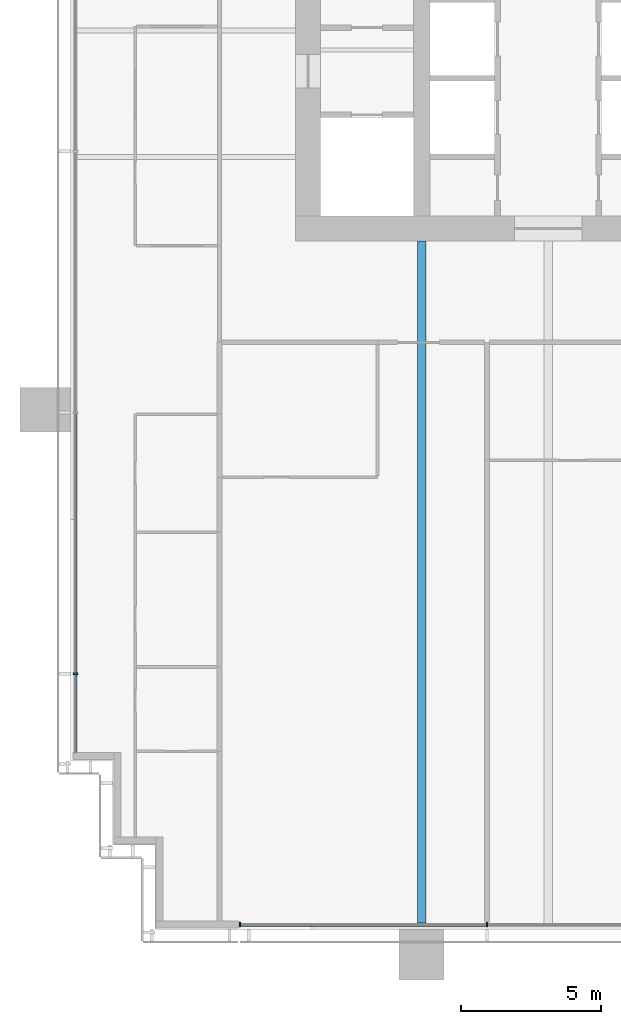
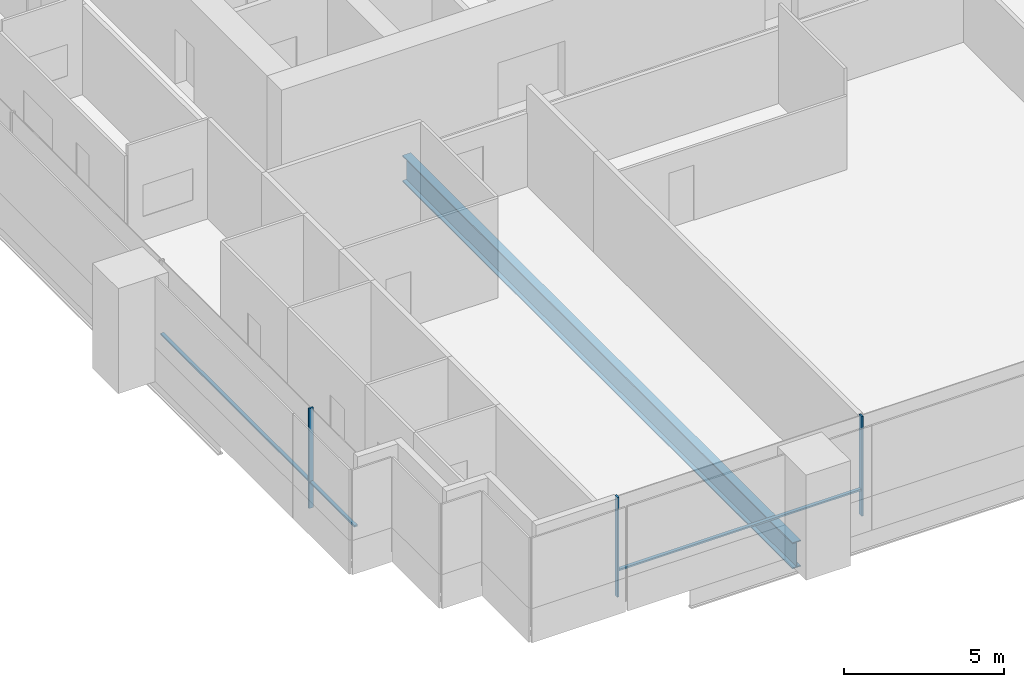
# One storey, part 2 of 19: 6 members, 1 beam, 2 elements without a shape of their own.
"""IFC4 building model written with IfcOpenShell, lengths in metres."""

from ifc_helpers import new_model, si_unit, direction, frame, origin, origin_2d, place, context, subcontext, project, spatial, rectangle, i_section, extrude, material, material_profile, profile_set, type_object, element, aggregate, save


model = new_model("IFC4")

# Units and contexts
model_context = context("Model", 3, precision=1e-05, world=origin(), true_north=direction((0.0, 1.0)))
body_context = subcontext(model_context, "Body", "Model", "MODEL_VIEW")
ifc_project = project(units=[si_unit("LENGTHUNIT", "METRE"), si_unit("AREAUNIT", "SQUARE_METRE"), si_unit("VOLUMEUNIT", "CUBIC_METRE"), si_unit("PLANEANGLEUNIT", "RADIAN"), si_unit("MASSUNIT", "GRAM", prefix="KILO")], contexts=[model_context])

# Site, building, storey
site_placement = place(None, origin())
site = spatial("IfcSite", under=ifc_project, at=site_placement, CompositionType="ELEMENT")
building_placement = place(site_placement, origin())
building = spatial("IfcBuilding", under=site, at=building_placement, Name="Rattan Terrace Tower", CompositionType="ELEMENT")
storey_placement = place(building_placement, frame((0.0, 0.0, 99.699951171875)))
storey = spatial("IfcBuildingStorey", under=building, at=storey_placement, Name="L22", CompositionType="ELEMENT", Elevation=99.699951171875)

# Curtain wall, member
ifc_material_1 = material(Name="Aluminium and glass", Category="aluminium")
curtain_wall_type = type_object("IfcCurtainWallType", Name="Facade Unitised Curtain Wall", PredefinedType="NOTDEFINED", material=ifc_material_1)
curtain_wall_1_placement = place(storey_placement, origin())
curtain_wall_1 = element("IfcCurtainWall", 1, at=curtain_wall_1_placement, inside=storey, type_object=curtain_wall_type, Name="Curtain wall L22-3", PredefinedType="NOTDEFINED")
ifc_material_2 = material(Name="Aluminium", Category="aluminium")
ifc_material_profile_1 = material_profile(ifc_material_2, rectangle(XDim=0.06005859375, YDim=0.159912109375, at=origin_2d()), Name="Aluminium 60x160")
ifc_profile_set_1 = profile_set([ifc_material_profile_1], Name="Aluminium")
member_type_1 = type_object("IfcMemberType", Name="Facade CW Mullion 60x160", PredefinedType="MULLION", material=ifc_profile_set_1)
member_1_placement = place(storey_placement, frame((-25.830078125, -22.89990234375, 0.0), z_axis=(0.0, 0.0, 1.0), x_axis=(0.0, -1.0, 0.0)))
member_1 = element("IfcMember", 2, at=member_1_placement, type_object=member_type_1, Name="Mullion cwl-L22-003.4", PredefinedType="MULLION", context=body_context, shape_type="SweptSolid", body=[
    extrude(rectangle(XDim=0.06005859375, YDim=0.159912109375, at=origin_2d()), origin(), (0.0, 0.0, 1.0), 3.800048828125),
])

# Curtain wall, members
curtain_wall_2_placement = place(storey_placement, origin())
curtain_wall_2 = element("IfcCurtainWall", 3, at=curtain_wall_2_placement, inside=storey, type_object=curtain_wall_type, Name="Curtain wall L22-4", PredefinedType="NOTDEFINED")
member_2_placement = place(storey_placement, frame((-19.969970703125, -31.830078125, 0.0), z_axis=(0.0, 0.0, 1.0), x_axis=(1.0, 0.0, 0.0)))
member_2 = element("IfcMember", 4, at=member_2_placement, type_object=member_type_1, Name="Mullion cwl-L22-004.1", PredefinedType="MULLION", context=body_context, shape_type="SweptSolid", body=[
    extrude(rectangle(XDim=0.06005859375, YDim=0.159912109375, at=origin_2d()), origin(), (0.0, 0.0, 1.0), 3.800048828125),
])
member_3_placement = place(storey_placement, frame((-11.177001953125, -31.830078125, 0.0), z_axis=(0.0, 0.0, 1.0), x_axis=(1.0, 0.0, 0.0)))
member_3 = element("IfcMember", 5, at=member_3_placement, type_object=member_type_1, Name="Mullion cwl-L22-004.2", PredefinedType="MULLION", context=body_context, shape_type="SweptSolid", body=[
    extrude(rectangle(XDim=0.06005859375, YDim=0.159912109375, at=origin_2d()), origin(), (0.0, 0.0, 1.0), 3.800048828125),
])

# Member
ifc_material_3 = material(Name="Aluminium", Category="aluminium")
ifc_material_profile_2 = material_profile(ifc_material_3, rectangle(XDim=0.1201171875, YDim=0.06005859375, at=origin_2d()), Name="Aluminium 120x60")
ifc_profile_set_2 = profile_set([ifc_material_profile_2], Name="Aluminium")
member_type_2 = type_object("IfcMemberType", Name="Facade CW Transom 120x60", PredefinedType="USERDEFINED", material=ifc_profile_set_2)
member_4_placement = place(storey_placement, frame((-25.830078125, -13.6298828125, 1.0), z_axis=(0.0, -1.0, 0.0), x_axis=(1.0, 0.0, 0.0)))
member_4 = element("IfcMember", 6, at=member_4_placement, type_object=member_type_2, Name="Transom cwl-L22-003.3", ObjectType="TRANSOM", PredefinedType="USERDEFINED", context=body_context, shape_type="SweptSolid", body=[
    extrude(rectangle(XDim=0.1201171875, YDim=0.06005859375, at=origin_2d()), origin(), (0.0, 0.0, 1.0), 9.240234375),
])

member_5_placement = place(storey_placement, frame((-25.830078125, -22.929931640625, 1.0), z_axis=(0.0, -1.0, 0.0), x_axis=(1.0, 0.0, 0.0)))
member_5 = element("IfcMember", 7, at=member_5_placement, type_object=member_type_2, Name="Transom cwl-L22-003.4", ObjectType="TRANSOM", PredefinedType="USERDEFINED", context=body_context, shape_type="SweptSolid", body=[
    extrude(rectangle(XDim=0.1201171875, YDim=0.06005859375, at=origin_2d()), origin(), (0.0, 0.0, 1.0), 2.775146484375),
])

aggregate(curtain_wall_1, [member_1, member_4, member_5])

member_6_placement = place(storey_placement, frame((-19.93994140625, -31.830078125, 1.0), z_axis=(1.0, 0.0, 0.0), x_axis=(0.0, 1.0, 0.0)))
member_6 = element("IfcMember", 8, at=member_6_placement, type_object=member_type_2, Name="Transom cwl-L22-004.1", ObjectType="TRANSOM", PredefinedType="USERDEFINED", context=body_context, shape_type="SweptSolid", body=[
    extrude(rectangle(XDim=0.1201171875, YDim=0.06005859375, at=origin_2d()), origin(), (0.0, 0.0, 1.0), 8.73291015625),
])

aggregate(curtain_wall_2, [member_2, member_3, member_6])

# Beam
ifc_material_4 = material(Name="Steel S460", Category="steel")
ifc_material_profile_3 = material_profile(ifc_material_4, i_section(OverallWidth=0.300048828125, OverallDepth=1.0, WebThickness=0.013916015625, FlangeThickness=0.0400390625, at=origin_2d()), Name="PG 1000x300-14-40")
ifc_profile_set_3 = profile_set([ifc_material_profile_3], Name="Steel S460")
beam_type = type_object("IfcBeamType", Name="Frame floor beam PG 1000x300-14-40", PredefinedType="JOIST", material=ifc_profile_set_3)
beam_placement = place(storey_placement, frame((-13.5, -31.820068359375, -0.699951171875), z_axis=(0.0, 1.0, 0.0), x_axis=(-1.0, 0.0, 0.0)))
element("IfcBeam", 9, at=beam_placement, inside=storey, type_object=beam_type, Name="bm-L22-003", PredefinedType="JOIST", context=body_context, shape_type="SweptSolid", body=[
    extrude(i_section(OverallWidth=0.300048828125, OverallDepth=1.0, WebThickness=0.013916015625, FlangeThickness=0.0400390625, at=origin_2d()), origin(), (0.0, 0.0, 1.0), 24.320068359375),
])

save(model, "model.ifc")
